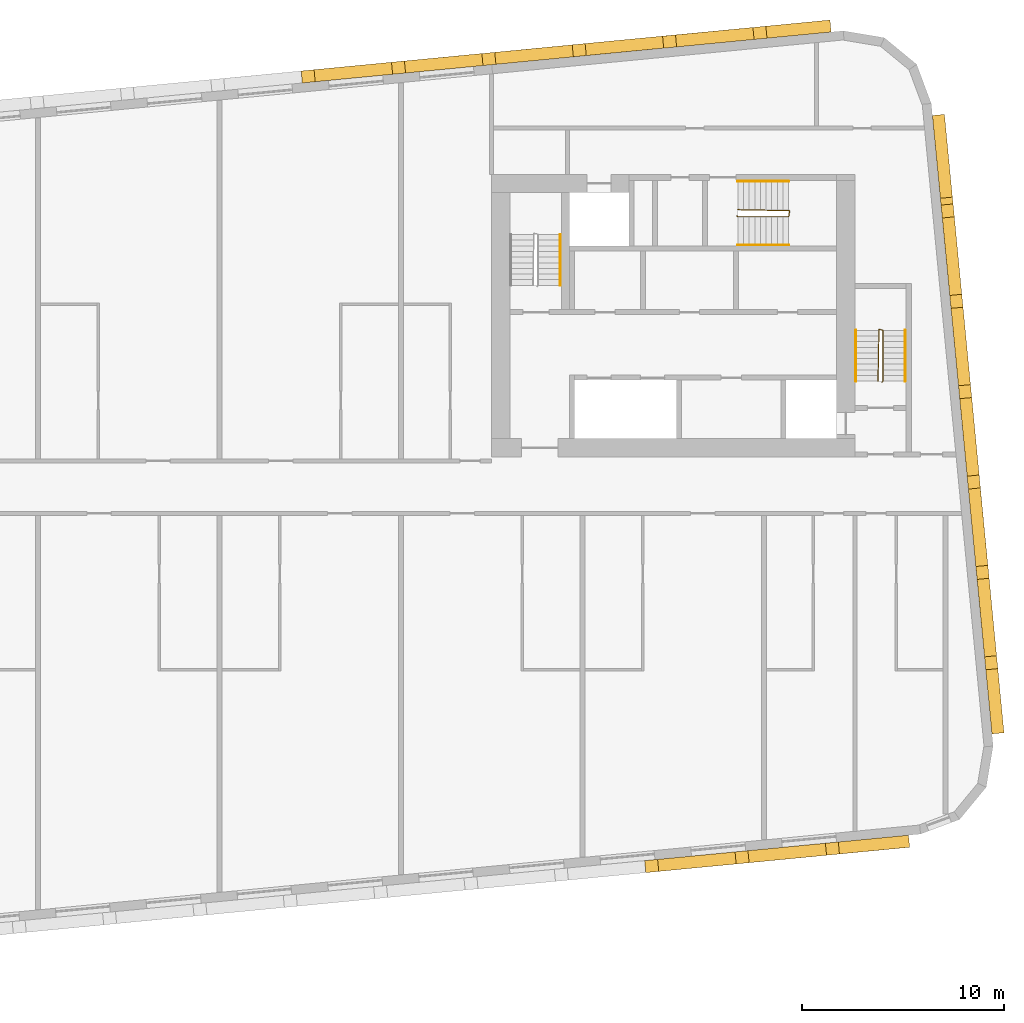
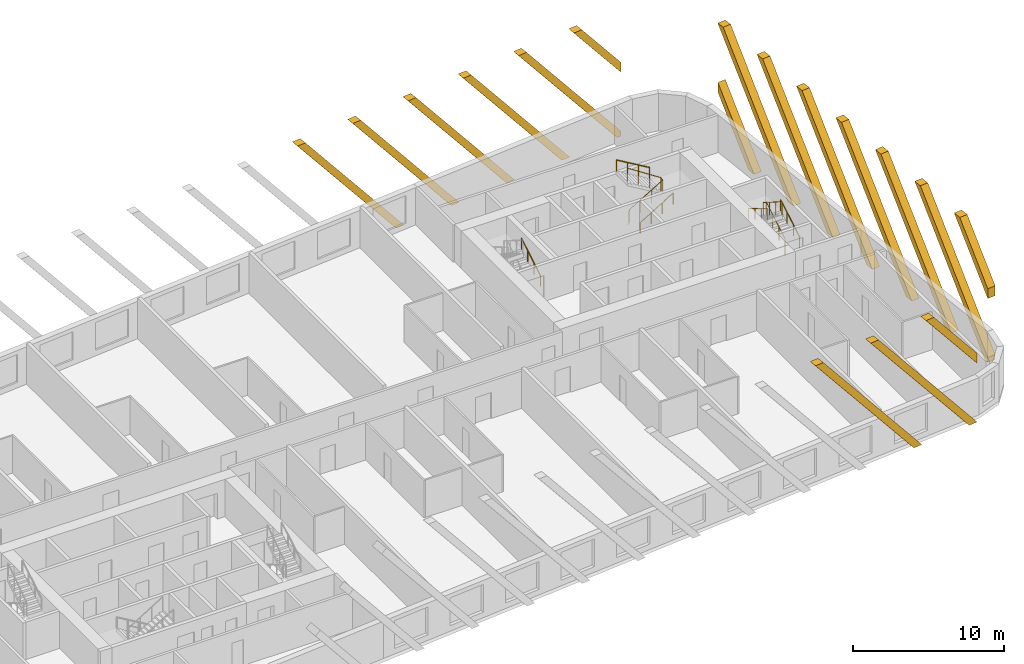
# One storey, part 12 of 12: 17 coverings, 7 railings.
"""IFC4 building model written with IfcOpenShell, lengths in metres."""

from ifc_helpers import new_model, si_unit, direction, frame, origin, origin_2d, place, context, subcontext, project, spatial, polyline, rectangle, circle, outline, extrude, material, material_profile, profile_set, type_object, element, save


model = new_model("IFC4")

# Units and contexts
model_context = context("Model", 3, precision=1e-05, world=origin(), true_north=direction((0.0, 1.0)))
body_context = subcontext(model_context, "Body", "Model", "MODEL_VIEW")
ifc_project = project(units=[si_unit("LENGTHUNIT", "METRE"), si_unit("AREAUNIT", "SQUARE_METRE"), si_unit("VOLUMEUNIT", "CUBIC_METRE"), si_unit("PLANEANGLEUNIT", "RADIAN"), si_unit("MASSUNIT", "GRAM", prefix="KILO")], contexts=[model_context])

# Site, building, storey
site_placement = place(None, origin())
site = spatial("IfcSite", under=ifc_project, at=site_placement, CompositionType="ELEMENT")
building_placement = place(site_placement, origin())
building = spatial("IfcBuilding", under=site, at=building_placement, Name="Kajstack Hotel Tower", CompositionType="ELEMENT")
storey_placement = place(building_placement, frame((0.0, 0.0, 268.5)))
storey = spatial("IfcBuildingStorey", under=building, at=storey_placement, Name="L66", CompositionType="ELEMENT", Elevation=268.5)

# Coverings
ifc_material_1 = material(Name="Terracotta", Category="masonry")
ifc_material_profile = material_profile(ifc_material_1, rectangle(XDim=0.60009765625, YDim=0.5, at=origin_2d()), Name="Terracotta-clad concrete baguette 500 x 600")
ifc_profile_set = profile_set([ifc_material_profile], Name="Terracotta")
covering_type = type_object("IfcCoveringType", Name="BAGUETTE 500x600", PredefinedType="CLADDING", material=ifc_profile_set)
covering_1_placement = place(storey_placement, frame((21.082763671875, -18.51806640625, 0.0), z_axis=(0.095634862357, -0.995416482233, 0.0), x_axis=(0.995416482233, 0.095634862357, 0.0)))
element("IfcCovering", 1, at=covering_1_placement, inside=storey, type_object=covering_type, Name="Baguette L66-04-052", PredefinedType="CLADDING", context=body_context, shape_type="SweptSolid", body=[
    extrude(outline(polyline([(0.0, 9.89990234375), (8.016845703125, 0.0), (8.66015625, 0.0), (0.643310546875, 9.89990234375), (0.0, 9.89990234375)])), origin(), (0.0, 0.0, 1.0), 0.599853515625),
])
covering_2_placement = place(storey_placement, frame((25.56201171875, -18.086669921875, 0.0), z_axis=(0.095634862357, -0.995416482233, 0.0), x_axis=(0.995416482233, 0.095634862357, 0.0)))
element("IfcCovering", 2, at=covering_2_placement, inside=storey, type_object=covering_type, Name="Baguette L66-04-056", PredefinedType="CLADDING", context=body_context, shape_type="SweptSolid", body=[
    extrude(outline(polyline([(8.016845703125, 0.0), (8.638671875, 0.0), (8.638671875, 0.026611328125), (0.643310546875, 9.89990234375), (0.0, 9.89990234375), (8.016845703125, 0.0)])), origin(), (0.0, 0.0, 1.0), 0.599853515625),
])
covering_3_placement = place(storey_placement, frame((30.041259765625, -17.6552734375, 0.0), z_axis=(0.095999188106, -0.995381412265, 0.0), x_axis=(0.995381412265, 0.095999188106, 0.0)))
element("IfcCovering", 3, at=covering_3_placement, inside=storey, type_object=covering_type, Name="Baguette L66-04-060", PredefinedType="CLADDING", context=body_context, shape_type="SweptSolid", body=[
    extrude(outline(polyline([(0.0, 9.89990234375), (4.138671875, 4.789306640625), (4.138671875, 5.583740234375), (0.643310546875, 9.89990234375), (0.0, 9.89990234375)])), origin(), (0.0, 0.0, 1.0), 0.60009765625),
])
covering_4_placement = place(storey_placement, frame((38.298828125, -12.239013671875, 0.0), z_axis=(0.995416482233, 0.095634862357, 0.0), x_axis=(-0.095634862357, 0.995416482233, 0.0)))
element("IfcCovering", 4, at=covering_4_placement, inside=storey, type_object=covering_type, Name="Baguette L66-08-000", PredefinedType="CLADDING", context=body_context, shape_type="SweptSolid", body=[
    extrude(outline(polyline([(3.195068359375, 9.89990234375), (0.0, 5.954345703125), (0.0, 5.15966796875), (3.838623046875, 9.89990234375), (3.195068359375, 9.89990234375)])), origin(), (0.0, 0.0, 1.0), 0.599853515625),
])
covering_5_placement = place(storey_placement, frame((38.298828125, -12.239013671875, 0.0), z_axis=(0.995416482233, 0.095634862357, 0.0), x_axis=(-0.095634862357, 0.995416482233, 0.0)))
element("IfcCovering", 5, at=covering_5_placement, inside=storey, type_object=covering_type, Name="Baguette L66-08-004", PredefinedType="CLADDING", context=body_context, shape_type="SweptSolid", body=[
    extrude(outline(polyline([(7.695068359375, 9.89990234375), (0.0, 0.397216796875), (0.0, 0.0), (0.32177734375, 0.0), (8.338623046875, 9.89990234375), (7.695068359375, 9.89990234375)])), origin(), (0.0, 0.0, 1.0), 0.599853515625),
])
covering_6_placement = place(storey_placement, frame((37.898193359375, -8.080078125, 0.0), z_axis=(0.995381412265, 0.095999188106, 0.0), x_axis=(-0.095999188106, 0.995381412265, 0.0)))
element("IfcCovering", 6, at=covering_6_placement, inside=storey, type_object=covering_type, Name="Baguette L66-08-008", PredefinedType="CLADDING", context=body_context, shape_type="SweptSolid", body=[
    extrude(outline(polyline([(8.016845703125, 9.89990234375), (0.0, 0.0), (0.643310546875, 0.0), (8.66015625, 9.89990234375), (8.016845703125, 9.89990234375)])), origin(), (0.0, 0.0, 1.0), 0.60009765625),
])
for number, where, z_axis, x_axis, name in (
    (7, (37.467041015625, -3.6005859375, 0.0), (0.995416482233, 0.095634862357, 0.0), (-0.095634862357, 0.995416482233, 0.0), "Baguette L66-08-012"),
    (8, (37.03564453125, 0.878662109375, 0.0), (0.995416482233, 0.095634862357, 0.0), (-0.095634862357, 0.995416482233, 0.0), "Baguette L66-08-016"),
    (9, (36.6044921875, 5.35791015625, 0.0), (0.995416482233, 0.095634862357, 0.0), (-0.095634862357, 0.995416482233, 0.0), "Baguette L66-08-020"),
):
    element("IfcCovering", number, at=place(storey_placement, frame(where, z_axis=z_axis, x_axis=x_axis)), inside=storey, type_object=covering_type, Name=name, PredefinedType="CLADDING", context=body_context, shape_type="SweptSolid", body=[
        extrude(outline(polyline([(8.016845703125, 9.89990234375), (0.0, 0.0), (0.643310546875, 0.0), (8.66015625, 9.89990234375), (8.016845703125, 9.89990234375)])), origin(), (0.0, 0.0, 1.0), 0.599853515625),
    ])
covering_7_placement = place(storey_placement, frame((36.173095703125, 9.837158203125, 0.0), z_axis=(0.995377661201, 0.096038073607, 0.0), x_axis=(-0.096038073607, 0.995377661201, 0.0)))
element("IfcCovering", 10, at=covering_7_placement, inside=storey, type_object=covering_type, Name="Baguette L66-08-024", PredefinedType="CLADDING", context=body_context, shape_type="SweptSolid", body=[
    extrude(outline(polyline([(0.643310546875, 0.0), (8.62158203125, 9.852294921875), (8.62158203125, 9.89990234375), (8.016845703125, 9.89990234375), (0.0, 0.0), (0.643310546875, 0.0)])), origin(), (0.0, 0.0, 1.0), 0.599853515625),
])
covering_8_placement = place(storey_placement, frame((35.74169921875, 14.31640625, 0.0), z_axis=(0.995381412265, 0.095999188106, 0.0), x_axis=(-0.095999188106, 0.995381412265, 0.0)))
element("IfcCovering", 11, at=covering_8_placement, inside=storey, type_object=covering_type, Name="Baguette L66-08-028", PredefinedType="CLADDING", context=body_context, shape_type="SweptSolid", body=[
    extrude(outline(polyline([(0.643310546875, 0.0), (4.12158203125, 4.29541015625), (4.12158203125, 5.08984375), (0.0, 0.0), (0.643310546875, 0.0)])), origin(), (0.0, 0.0, 1.0), 0.60009765625),
])
covering_9_placement = place(storey_placement, frame((30.3271484375, 22.55712890625, 0.0), z_axis=(-0.096038073607, 0.995377661201, 0.0), x_axis=(-0.995377661201, -0.096038073607, 0.0)))
element("IfcCovering", 12, at=covering_9_placement, inside=storey, type_object=covering_type, Name="Baguette L66-12-000", PredefinedType="CLADDING", context=body_context, shape_type="SweptSolid", body=[
    extrude(outline(polyline([(3.195068359375, 9.89990234375), (0.0, 5.954345703125), (0.0, 5.15966796875), (3.838623046875, 9.89990234375), (3.195068359375, 9.89990234375)])), origin(), (0.0, 0.0, 1.0), 0.599853515625),
])
covering_10_placement = place(storey_placement, frame((30.3271484375, 22.55712890625, 0.0), z_axis=(-0.096038073607, 0.995377661201, 0.0), x_axis=(-0.995377661201, -0.096038073607, 0.0)))
element("IfcCovering", 13, at=covering_10_placement, inside=storey, type_object=covering_type, Name="Baguette L66-12-004", PredefinedType="CLADDING", context=body_context, shape_type="SweptSolid", body=[
    extrude(outline(polyline([(7.695068359375, 9.89990234375), (0.0, 0.397216796875), (0.0, 0.0), (0.32177734375, 0.0), (8.338623046875, 9.89990234375), (7.695068359375, 9.89990234375)])), origin(), (0.0, 0.0, 1.0), 0.599853515625),
])
for number, where, z_axis, x_axis, name in (
    (14, (26.16796875, 22.15673828125, 0.0), (-0.095634862357, 0.995416482233, 0.0), (-0.995416482233, -0.095634862357, 0.0), "Baguette L66-12-008"),
    (15, (21.688720703125, 21.725341796875, 0.0), (-0.096038073607, 0.995377661201, 0.0), (-0.995377661201, -0.096038073607, 0.0), "Baguette L66-12-012"),
):
    element("IfcCovering", number, at=place(storey_placement, frame(where, z_axis=z_axis, x_axis=x_axis)), inside=storey, type_object=covering_type, Name=name, PredefinedType="CLADDING", context=body_context, shape_type="SweptSolid", body=[
        extrude(outline(polyline([(8.016845703125, 9.89990234375), (0.0, 0.0), (0.643310546875, 0.0), (8.66015625, 9.89990234375), (8.016845703125, 9.89990234375)])), origin(), (0.0, 0.0, 1.0), 0.599853515625),
    ])
covering_11_placement = place(storey_placement, frame((17.20947265625, 21.2939453125, 0.0), z_axis=(-0.095999188106, 0.995381412265, 0.0), x_axis=(-0.995381412265, -0.095999188106, 0.0)))
element("IfcCovering", 16, at=covering_11_placement, inside=storey, type_object=covering_type, Name="Baguette L66-12-016", PredefinedType="CLADDING", context=body_context, shape_type="SweptSolid", body=[
    extrude(outline(polyline([(8.016845703125, 9.89990234375), (0.0, 0.0), (0.643310546875, 0.0), (8.66015625, 9.89990234375), (8.016845703125, 9.89990234375)])), origin(), (0.0, 0.0, 1.0), 0.60009765625),
])
covering_12_placement = place(storey_placement, frame((12.730224609375, 20.86279296875, 0.0), z_axis=(-0.096038073607, 0.995377661201, 0.0), x_axis=(-0.995377661201, -0.096038073607, 0.0)))
element("IfcCovering", 17, at=covering_12_placement, inside=storey, type_object=covering_type, Name="Baguette L66-12-020", PredefinedType="CLADDING", context=body_context, shape_type="SweptSolid", body=[
    extrude(outline(polyline([(8.016845703125, 9.89990234375), (0.0, 0.0), (0.643310546875, 0.0), (8.66015625, 9.89990234375), (8.016845703125, 9.89990234375)])), origin(), (0.0, 0.0, 1.0), 0.599853515625),
])

# Railings
ifc_material_2 = material(Name="Steel S355J2", Category="steel")
railing_type_1 = type_object("IfcRailingType", Name="Stair guard 1100", PredefinedType="GUARDRAIL", material=ifc_material_2)
railing_1_placement = place(storey_placement, frame((32.85009765625, 5.199951171875, 0.0)))
element("IfcRailing", 18, at=railing_1_placement, inside=storey, type_object=railing_type_1, Name="L66 E1 stair guard 1", PredefinedType="GUARDRAIL", context=body_context, shape_type="SweptSolid", body=[
    extrude(circle(Radius=0.02392578125, at=origin_2d()), frame((0.0, 0.0, 1.076171875), z_axis=(0.277450376394, 0.278810427259, 0.919394384522), x_axis=(-0.708833529934, 0.705375805398, 0.0)), (0.0, 0.0, 1.0), 0.179443359375),
    extrude(circle(Radius=0.02392578125, at=origin_2d()), frame((0.0498046875, 0.050048828125, 1.2412109375), z_axis=(0.0, 0.861560626758, 0.507654692109), x_axis=(-1.0, 0.0, 0.0)), (0.0, 0.0, 1.0), 2.925048828125),
    extrude(circle(Radius=0.02392578125, at=origin_2d()), frame((0.0498046875, 2.570068359375, 2.72607421875), z_axis=(-0.970072785993, 0.242814311512, 0.0), x_axis=(-0.242814311512, -0.970072785993, 0.0)), (0.0, 0.0, 1.0), 0.2060546875),
    extrude(circle(Radius=0.02392578125, at=origin_2d()), frame((-0.150146484375, 2.6201171875, 2.72607421875), z_axis=(-0.016384601254, -0.84136925563, 0.540212292087), x_axis=(0.999810440751, -0.019470042781, 0.0)), (0.0, 0.0, 1.0), 3.0546875),
    extrude(circle(Radius=0.02099609375, at=origin_2d()), origin(), (0.0, 0.0, 1.0), 1.052001953125),
    extrude(circle(Radius=0.02099609375, at=origin_2d()), frame((0.0498046875, 0.050048828125, 0.1650390625)), (0.0, 0.0, 1.0), 1.052001953125),
    extrude(circle(Radius=0.02099609375, at=origin_2d()), frame((0.0498046875, 0.89013671875, 0.659912109375)), (0.0, 0.0, 1.0), 1.052001953125),
    extrude(circle(Radius=0.02099609375, at=origin_2d()), frame((0.0498046875, 1.72998046875, 1.155029296875)), (0.0, 0.0, 1.0), 1.052001953125),
    extrude(circle(Radius=0.02099609375, at=origin_2d()), frame((0.0498046875, 2.570068359375, 1.64990234375)), (0.0, 0.0, 1.0), 1.052001953125),
    extrude(circle(Radius=0.02099609375, at=origin_2d()), frame((-0.150146484375, 2.6201171875, 1.64990234375)), (0.0, 0.0, 1.0), 1.052001953125),
    extrude(circle(Radius=0.02099609375, at=origin_2d()), frame((-0.166748046875, 1.763427734375, 2.199951171875)), (0.0, 0.0, 1.0), 1.052001953125),
    extrude(circle(Radius=0.02099609375, at=origin_2d()), frame((-0.18359375, 0.90673828125, 2.75)), (0.0, 0.0, 1.0), 1.052001953125),
    extrude(circle(Radius=0.02099609375, at=origin_2d()), frame((-0.2001953125, 0.050048828125, 3.300048828125)), (0.0, 0.0, 1.0), 1.052001953125),
])
railing_2_placement = place(storey_placement, frame((25.64990234375, 13.449951171875, 0.0)))
element("IfcRailing", 19, at=railing_2_placement, inside=storey, type_object=railing_type_1, Name="L66 E3 stair guard 1", PredefinedType="GUARDRAIL", context=body_context, shape_type="SweptSolid", body=[
    extrude(circle(Radius=0.02392578125, at=origin_2d()), frame((0.0, 0.0, 1.076171875), z_axis=(0.278705021027, -0.278705021027, 0.919046801044), x_axis=(0.707106781187, 0.707106781187, 0.0)), (0.0, 0.0, 1.0), 0.1796875),
    extrude(circle(Radius=0.02392578125, at=origin_2d()), frame((0.050048828125, -0.050048828125, 1.2412109375), z_axis=(0.861560626758, 0.0, 0.507654692109), x_axis=(0.0, 1.0, 0.0)), (0.0, 0.0, 1.0), 2.925048828125),
    extrude(circle(Radius=0.02392578125, at=origin_2d()), frame((2.570068359375, -0.050048828125, 2.72607421875), z_axis=(0.164529134168, 0.986372223864, 0.0), x_axis=(-0.986372223864, 0.164529134168, 0.0)), (0.0, 0.0, 1.0), 0.30419921875),
    extrude(circle(Radius=0.02392578125, at=origin_2d()), frame((2.6201171875, 0.25, 2.72607421875), z_axis=(-0.84136925563, 0.016384601254, 0.540212292087), x_axis=(-0.019470042781, -0.999810440751, 0.0)), (0.0, 0.0, 1.0), 3.0546875),
    extrude(circle(Radius=0.02099609375, at=origin_2d()), origin(), (0.0, 0.0, 1.0), 1.052001953125),
    extrude(circle(Radius=0.02099609375, at=origin_2d()), frame((0.050048828125, -0.050048828125, 0.1650390625)), (0.0, 0.0, 1.0), 1.052001953125),
    extrude(circle(Radius=0.02099609375, at=origin_2d()), frame((0.89013671875, -0.050048828125, 0.659912109375)), (0.0, 0.0, 1.0), 1.052001953125),
    extrude(circle(Radius=0.02099609375, at=origin_2d()), frame((1.72998046875, -0.050048828125, 1.155029296875)), (0.0, 0.0, 1.0), 1.052001953125),
    extrude(circle(Radius=0.02099609375, at=origin_2d()), frame((2.570068359375, -0.050048828125, 1.64990234375)), (0.0, 0.0, 1.0), 1.052001953125),
    extrude(circle(Radius=0.02099609375, at=origin_2d()), frame((2.6201171875, 0.25, 1.64990234375)), (0.0, 0.0, 1.0), 1.052001953125),
    extrude(circle(Radius=0.02099609375, at=origin_2d()), frame((1.763427734375, 0.2666015625, 2.199951171875)), (0.0, 0.0, 1.0), 1.052001953125),
    extrude(circle(Radius=0.02099609375, at=origin_2d()), frame((0.90673828125, 0.283447265625, 2.75)), (0.0, 0.0, 1.0), 1.052001953125),
    extrude(circle(Radius=0.02099609375, at=origin_2d()), frame((0.050048828125, 0.300048828125, 3.300048828125)), (0.0, 0.0, 1.0), 1.052001953125),
])
railing_type_2 = type_object("IfcRailingType", Name="Stair handrail 900", PredefinedType="HANDRAIL", material=ifc_material_2)
railing_3_placement = place(storey_placement, frame((34.0, 5.25, 0.1650390625)))
element("IfcRailing", 20, at=railing_3_placement, inside=storey, type_object=railing_type_2, Name="L66 E1 stair handrail 1", PredefinedType="HANDRAIL", context=body_context, shape_type="SweptSolid", body=[
    extrude(circle(Radius=0.02392578125, at=origin_2d()), frame((0.0, 0.0, 0.8759765625), z_axis=(0.0, 0.861560626758, 0.507654692109), x_axis=(-1.0, 0.0, 0.0)), (0.0, 0.0, 1.0), 2.925048828125),
    extrude(circle(Radius=0.02099609375, at=origin_2d()), origin(), (0.0, 0.0, 1.0), 0.851806640625),
    extrude(circle(Radius=0.02099609375, at=origin_2d()), frame((0.0, 0.840087890625, 0.494873046875)), (0.0, 0.0, 1.0), 0.851806640625),
    extrude(circle(Radius=0.02099609375, at=origin_2d()), frame((0.0, 1.679931640625, 0.989990234375)), (0.0, 0.0, 1.0), 0.851806640625),
    extrude(circle(Radius=0.02099609375, at=origin_2d()), frame((0.0, 2.52001953125, 1.48486328125)), (0.0, 0.0, 1.0), 0.851806640625),
])
railing_4_placement = place(storey_placement, frame((31.550048828125, 7.77001953125, 1.81494140625)))
element("IfcRailing", 21, at=railing_4_placement, inside=storey, type_object=railing_type_2, Name="L66 E1 stair handrail 2", PredefinedType="HANDRAIL", context=body_context, shape_type="SweptSolid", body=[
    extrude(circle(Radius=0.02392578125, at=origin_2d()), frame((0.0, 0.0, 0.8759765625), z_axis=(0.0, -0.86152411907, 0.507716645641), x_axis=(1.0, 0.0, 0.0)), (0.0, 0.0, 1.0), 2.925048828125),
    extrude(circle(Radius=0.02099609375, at=origin_2d()), origin(), (0.0, 0.0, 1.0), 0.851806640625),
    extrude(circle(Radius=0.02099609375, at=origin_2d()), frame((0.0, -0.840087890625, 0.4951171875)), (0.0, 0.0, 1.0), 0.851806640625),
    extrude(circle(Radius=0.02099609375, at=origin_2d()), frame((0.0, -1.679931640625, 0.989990234375)), (0.0, 0.0, 1.0), 0.851806640625),
    extrude(circle(Radius=0.02099609375, at=origin_2d()), frame((0.0, -2.52001953125, 1.485107421875)), (0.0, 0.0, 1.0), 0.851806640625),
])
railing_5_placement = place(storey_placement, frame((16.89990234375, 10.0, 0.1650390625)))
element("IfcRailing", 22, at=railing_5_placement, inside=storey, type_object=railing_type_2, Name="L66 E2 stair handrail 1", PredefinedType="HANDRAIL", context=body_context, shape_type="SweptSolid", body=[
    extrude(circle(Radius=0.02392578125, at=origin_2d()), frame((0.0, 0.0, 0.8759765625), z_axis=(0.0, 0.861560626758, 0.507654692109), x_axis=(-1.0, 0.0, 0.0)), (0.0, 0.0, 1.0), 2.925048828125),
    extrude(circle(Radius=0.02099609375, at=origin_2d()), origin(), (0.0, 0.0, 1.0), 0.851806640625),
    extrude(circle(Radius=0.02099609375, at=origin_2d()), frame((0.0, 0.840087890625, 0.494873046875)), (0.0, 0.0, 1.0), 0.851806640625),
    extrude(circle(Radius=0.02099609375, at=origin_2d()), frame((0.0, 1.679931640625, 0.989990234375)), (0.0, 0.0, 1.0), 0.851806640625),
    extrude(circle(Radius=0.02099609375, at=origin_2d()), frame((0.0, 2.52001953125, 1.48486328125)), (0.0, 0.0, 1.0), 0.851806640625),
])
railing_6_placement = place(storey_placement, frame((25.699951171875, 12.0, 0.1650390625)))
element("IfcRailing", 23, at=railing_6_placement, inside=storey, type_object=railing_type_2, Name="L66 E3 stair handrail 1", PredefinedType="HANDRAIL", context=body_context, shape_type="SweptSolid", body=[
    extrude(circle(Radius=0.02392578125, at=origin_2d()), frame((0.0, 0.0, 0.8759765625), z_axis=(0.861560626758, 0.0, 0.507654692109), x_axis=(0.0, 1.0, 0.0)), (0.0, 0.0, 1.0), 2.925048828125),
    extrude(circle(Radius=0.02099609375, at=origin_2d()), origin(), (0.0, 0.0, 1.0), 0.851806640625),
    extrude(circle(Radius=0.02099609375, at=origin_2d()), frame((0.840087890625, 0.0, 0.494873046875)), (0.0, 0.0, 1.0), 0.851806640625),
    extrude(circle(Radius=0.02099609375, at=origin_2d()), frame((1.679931640625, 0.0, 0.989990234375)), (0.0, 0.0, 1.0), 0.851806640625),
    extrude(circle(Radius=0.02099609375, at=origin_2d()), frame((2.52001953125, 0.0, 1.48486328125)), (0.0, 0.0, 1.0), 0.851806640625),
])
railing_7_placement = place(storey_placement, frame((28.219970703125, 15.14990234375, 1.81494140625)))
element("IfcRailing", 24, at=railing_7_placement, inside=storey, type_object=railing_type_2, Name="L66 E3 stair handrail 2", PredefinedType="HANDRAIL", context=body_context, shape_type="SweptSolid", body=[
    extrude(circle(Radius=0.02392578125, at=origin_2d()), frame((0.0, 0.0, 0.8759765625), z_axis=(-0.86152411907, 0.0, 0.507716645641), x_axis=(0.0, -1.0, 0.0)), (0.0, 0.0, 1.0), 2.925048828125),
    extrude(circle(Radius=0.02099609375, at=origin_2d()), origin(), (0.0, 0.0, 1.0), 0.851806640625),
    extrude(circle(Radius=0.02099609375, at=origin_2d()), frame((-0.840087890625, 0.0, 0.4951171875)), (0.0, 0.0, 1.0), 0.851806640625),
    extrude(circle(Radius=0.02099609375, at=origin_2d()), frame((-1.679931640625, 0.0, 0.989990234375)), (0.0, 0.0, 1.0), 0.851806640625),
    extrude(circle(Radius=0.02099609375, at=origin_2d()), frame((-2.52001953125, 0.0, 1.485107421875)), (0.0, 0.0, 1.0), 0.851806640625),
])

save(model, "model.ifc")
